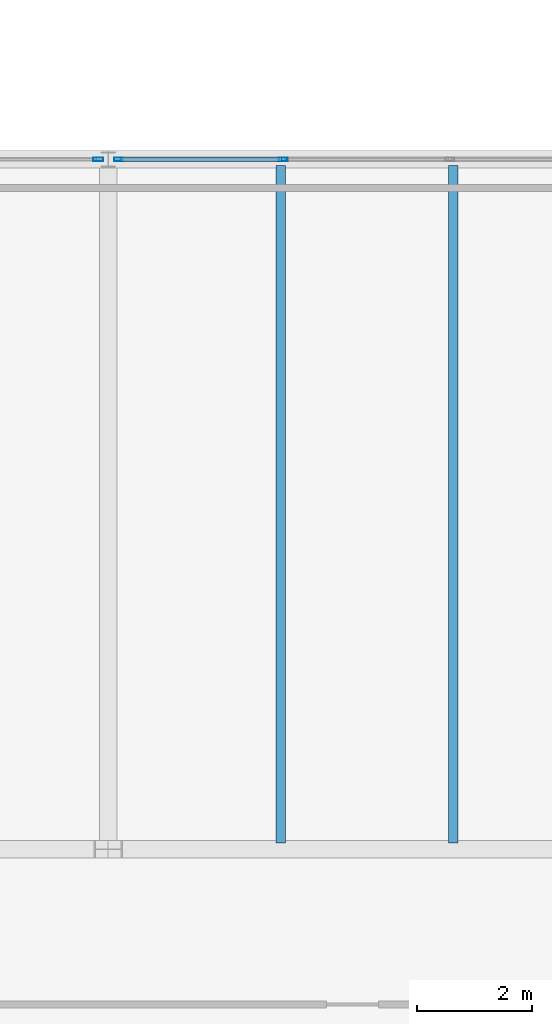
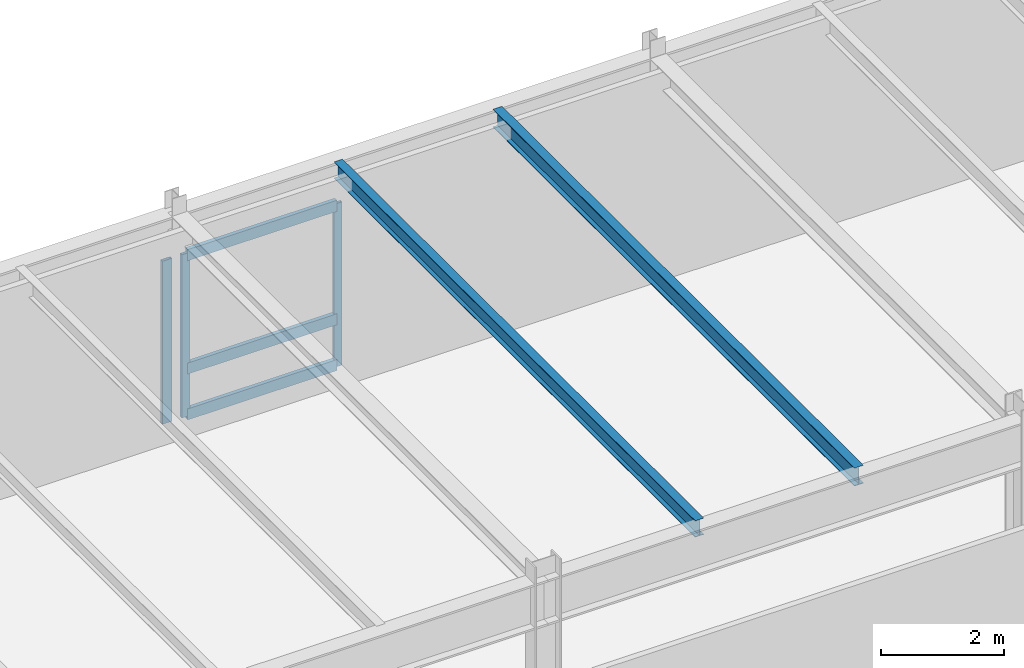
# One storey, part 23 of 115: 6 members, 2 beams, 2 elements without a shape of their own.
"""IFC4 building model written with IfcOpenShell, lengths in metres."""

from ifc_helpers import new_model, si_unit, direction, frame, origin, origin_2d, place, context, subcontext, project, spatial, hollow_rectangle, i_section, extrude, material, layer, layer_set, material_profile, profile_set, type_object, element, aggregate, save


model = new_model("IFC4")

# Units and contexts
model_context = context("Model", 3, precision=1e-05, world=origin(), true_north=direction((0.0, 1.0)))
body_context = subcontext(model_context, "Body", "Model", "MODEL_VIEW")
ifc_project = project(units=[si_unit("LENGTHUNIT", "METRE"), si_unit("AREAUNIT", "SQUARE_METRE"), si_unit("VOLUMEUNIT", "CUBIC_METRE"), si_unit("PLANEANGLEUNIT", "RADIAN"), si_unit("MASSUNIT", "GRAM", prefix="KILO")], contexts=[model_context])

# Site, building, storey
site_placement = place(None, origin())
site = spatial("IfcSite", under=ifc_project, at=site_placement, CompositionType="ELEMENT")
building_placement = place(site_placement, origin())
building = spatial("IfcBuilding", under=site, at=building_placement, Name="Montelvaro Courts of Justice", CompositionType="ELEMENT")
storey_placement = place(building_placement, frame((0.0, 0.0, 9.89990234375)))
storey = spatial("IfcBuildingStorey", under=building, at=storey_placement, Name="L02", CompositionType="ELEMENT", Elevation=9.89990234375)

# Beams
ifc_material_1 = material(Name="Steel S355", Category="steel")
ifc_material_profile_1 = material_profile(ifc_material_1, i_section(OverallWidth=0.159912109375, OverallDepth=0.330078125, WebThickness=0.007568359375, FlangeThickness=0.011474609375, at=origin_2d()), Name="IPE 330")
ifc_profile_set_1 = profile_set([ifc_material_profile_1], Name="Steel S355")
beam_type_1 = type_object("IfcBeamType", Name="Beam_IPE330", PredefinedType="BEAM", material=ifc_profile_set_1)
beam_1_placement = place(storey_placement, frame((30.0, 42.110107421875, 3.9951171875), z_axis=(0.0, 1.0, 0.0), x_axis=(-1.0, 0.0, 0.0)))
element("IfcBeam", 1, at=beam_1_placement, inside=storey, type_object=beam_type_1, Name="Beam B-06 L02", PredefinedType="BEAM", context=body_context, shape_type="SweptSolid", body=[
    extrude(i_section(OverallWidth=0.159912109375, OverallDepth=0.330078125, WebThickness=0.007568359375, FlangeThickness=0.011474609375, at=origin_2d()), origin(), (0.0, 0.0, 1.0), 11.77978515625),
])
ifc_material_profile_2 = material_profile(ifc_material_1, i_section(OverallWidth=0.169921875, OverallDepth=0.360107421875, WebThickness=0.008056640625, FlangeThickness=0.0126953125, at=origin_2d()), Name="IPE 360")
ifc_profile_set_2 = profile_set([ifc_material_profile_2], Name="Steel S355")
beam_type_2 = type_object("IfcBeamType", Name="Beam_IPE360", PredefinedType="BEAM", material=ifc_profile_set_2)
beam_2_placement = place(storey_placement, frame((33.0, 42.110107421875, 3.97998046875), z_axis=(0.0, 1.0, 0.0), x_axis=(-1.0, 0.0, 0.0)))
element("IfcBeam", 2, at=beam_2_placement, inside=storey, type_object=beam_type_2, Name="Beam B-07 L02", PredefinedType="BEAM", context=body_context, shape_type="SweptSolid", body=[
    extrude(i_section(OverallWidth=0.169921875, OverallDepth=0.360107421875, WebThickness=0.008056640625, FlangeThickness=0.0126953125, at=origin_2d()), origin(), (0.0, 0.0, 1.0), 11.77978515625),
])

# Curtain wall, members
ifc_material_2 = material(Name="Anodised aluminium EN AW-6063", Category="aluminium")
ifc_layer = layer(ifc_material_2, 0.159912109375)
ifc_layer_set = layer_set([ifc_layer], Name="Anodised aluminium EN AW-6063")
curtain_wall_type = type_object("IfcCurtainWallType", Name="CurtainWall_18_868x418", PredefinedType="USERDEFINED", material=ifc_layer_set)
curtain_wall_1_placement = place(storey_placement, origin())
curtain_wall_1 = element("IfcCurtainWall", 3, at=curtain_wall_1_placement, inside=storey, type_object=curtain_wall_type, Name="Curtain Wall CW-18 (L02)", ObjectType="CURTAIN WALL", PredefinedType="USERDEFINED")
ifc_material_profile_3 = material_profile(ifc_material_2, hollow_rectangle(XDim=0.06005859375, YDim=0.14990234375, WallThickness=0.00390625, at=origin_2d()), Name="ALU-M 60x150")
ifc_profile_set_3 = profile_set([ifc_material_profile_3], Name="Anodised aluminium EN AW-6063")
member_type_1 = type_object("IfcMemberType", Name="CurtainWall_Mullion_60x150", PredefinedType="MULLION", material=ifc_profile_set_3)
member_1_placement = place(storey_placement, frame((30.044921875, 54.0, 0.0), z_axis=(0.0, 0.0, 1.0), x_axis=(0.0, -1.0, 0.0)))
member_1 = element("IfcMember", 4, at=member_1_placement, type_object=member_type_1, Name="CW-18 mullion 3", PredefinedType="MULLION", context=body_context, shape_type="SweptSolid", body=[
    extrude(hollow_rectangle(XDim=0.06005859375, YDim=0.14990234375, WallThickness=0.00390625, at=origin_2d()), origin(), (0.0, 0.0, 1.0), 3.2451171875),
])
member_2_placement = place(storey_placement, frame((27.175048828125, 54.0, 0.0), z_axis=(0.0, 0.0, 1.0), x_axis=(0.0, -1.0, 0.0)))
member_2 = element("IfcMember", 5, at=member_2_placement, type_object=member_type_1, Name="CW-18 mullion 4", PredefinedType="MULLION", context=body_context, shape_type="SweptSolid", body=[
    extrude(hollow_rectangle(XDim=0.06005859375, YDim=0.14990234375, WallThickness=0.00390625, at=origin_2d()), origin(), (0.0, 0.0, 1.0), 3.2451171875),
])

# Curtain wall, member
curtain_wall_2_placement = place(storey_placement, origin())
curtain_wall_2 = element("IfcCurtainWall", 6, at=curtain_wall_2_placement, inside=storey, type_object=curtain_wall_type, Name="Curtain Wall CW-18 (L02)", ObjectType="CURTAIN WALL", PredefinedType="USERDEFINED")
ifc_material_profile_4 = material_profile(ifc_material_2, hollow_rectangle(XDim=0.06005859375, YDim=0.179931640625, WallThickness=0.00439453125, at=origin_2d()), Name="ALU-M 60x180")
ifc_profile_set_4 = profile_set([ifc_material_profile_4], Name="Anodised aluminium EN AW-6063")
member_type_2 = type_object("IfcMemberType", Name="CurtainWall_Mullion_60x180", PredefinedType="MULLION", material=ifc_profile_set_4)
member_3_placement = place(storey_placement, frame((26.824951171875, 54.0, 0.0), z_axis=(0.0, 0.0, 1.0), x_axis=(0.0, -1.0, 0.0)))
member_3 = element("IfcMember", 7, at=member_3_placement, type_object=member_type_2, Name="CW-18 mullion 1", PredefinedType="MULLION", context=body_context, shape_type="SweptSolid", body=[
    extrude(hollow_rectangle(XDim=0.06005859375, YDim=0.179931640625, WallThickness=0.00439453125, at=origin_2d()), origin(), (0.0, 0.0, 1.0), 3.2451171875),
])
aggregate(curtain_wall_2, [member_3])

# Member
ifc_material_profile_5 = material_profile(ifc_material_2, hollow_rectangle(XDim=0.074951171875, YDim=0.219970703125, WallThickness=0.005615234375, at=origin_2d()), Name="ALU-T 75x220")
ifc_profile_set_5 = profile_set([ifc_material_profile_5], Name="Anodised aluminium EN AW-6063")
member_type_3 = type_object("IfcMemberType", Name="CurtainWall_Transom_75x220", PredefinedType="USERDEFINED", material=ifc_profile_set_5)
member_4_placement = place(storey_placement, frame((30.014892578125, 54.0, 0.03759765625), z_axis=(-1.0, 0.0, 0.0), x_axis=(0.0, -1.0, 0.0)))
member_4 = element("IfcMember", 8, at=member_4_placement, type_object=member_type_3, Name="CW-18 transom 3.1", ObjectType="TRANSOM", PredefinedType="USERDEFINED", context=body_context, shape_type="SweptSolid", body=[
    extrude(hollow_rectangle(XDim=0.074951171875, YDim=0.219970703125, WallThickness=0.005615234375, at=origin_2d()), origin(), (0.0, 0.0, 1.0), 2.809814453125),
])

member_5_placement = place(storey_placement, frame((30.014892578125, 54.0, 0.9501953125), z_axis=(-1.0, 0.0, 0.0), x_axis=(0.0, -1.0, 0.0)))
member_5 = element("IfcMember", 9, at=member_5_placement, type_object=member_type_3, Name="CW-18 transom 3.2", ObjectType="TRANSOM", PredefinedType="USERDEFINED", context=body_context, shape_type="SweptSolid", body=[
    extrude(hollow_rectangle(XDim=0.074951171875, YDim=0.219970703125, WallThickness=0.005615234375, at=origin_2d()), origin(), (0.0, 0.0, 1.0), 2.809814453125),
])

member_6_placement = place(storey_placement, frame((30.014892578125, 54.0, 3.20751953125), z_axis=(-1.0, 0.0, 0.0), x_axis=(0.0, -1.0, 0.0)))
member_6 = element("IfcMember", 10, at=member_6_placement, type_object=member_type_3, Name="CW-18 transom 3.3", ObjectType="TRANSOM", PredefinedType="USERDEFINED", context=body_context, shape_type="SweptSolid", body=[
    extrude(hollow_rectangle(XDim=0.074951171875, YDim=0.219970703125, WallThickness=0.005615234375, at=origin_2d()), origin(), (0.0, 0.0, 1.0), 2.809814453125),
])

aggregate(curtain_wall_1, [member_1, member_2, member_4, member_5, member_6])

save(model, "model.ifc")
